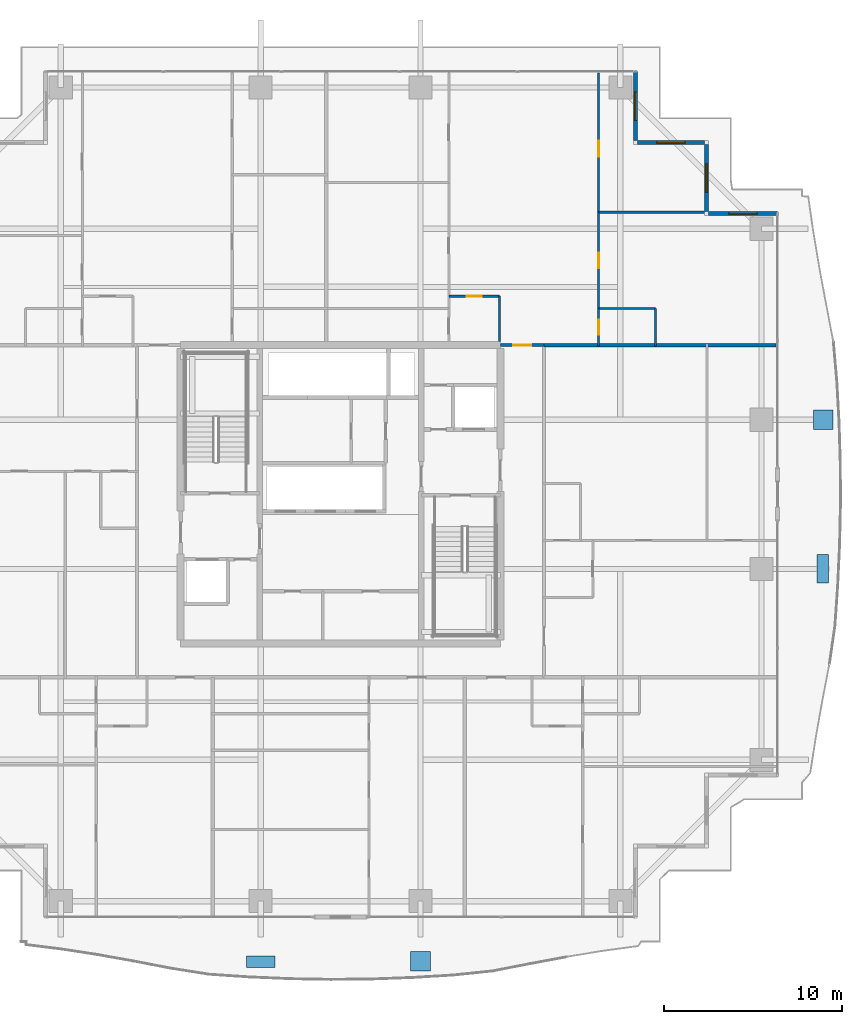
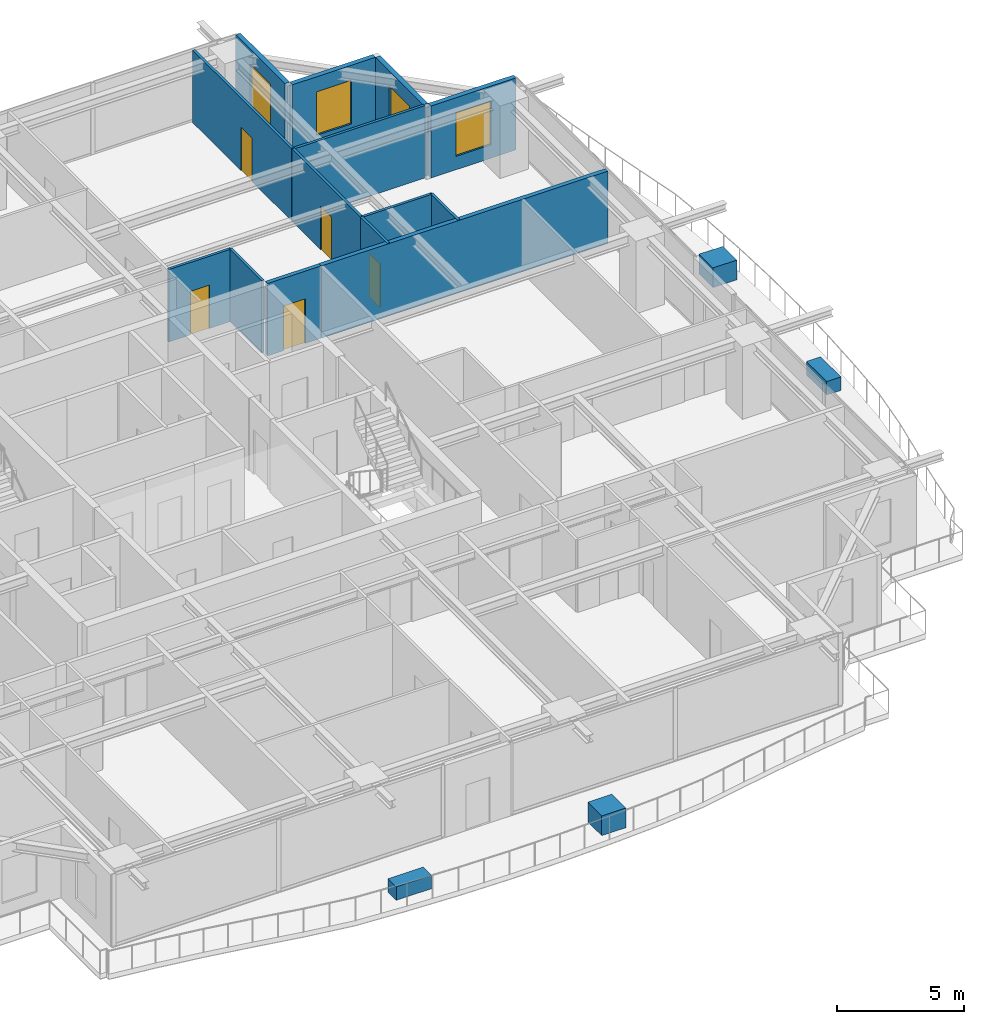
# One storey, part 31 of 37: 14 walls, 5 doors, 4 discrete accessories, 4 windows, 9 openings.
"""IFC4 building model written with IfcOpenShell, lengths in metres."""

from ifc_helpers import new_model, si_unit, direction, frame, frame_2d, origin, origin_2d, place, context, subcontext, project, spatial, rectangle, extrude, source, transform, mapped, material, layer, layer_set, type_object, element, fill, save


model = new_model("IFC4")

# Units and contexts
model_context = context("Model", 3, precision=1e-05, world=origin(), true_north=direction((0.0, 1.0)))
body_context = subcontext(model_context, "Body", "Model", "MODEL_VIEW")
ifc_project = project(units=[si_unit("LENGTHUNIT", "METRE"), si_unit("AREAUNIT", "SQUARE_METRE"), si_unit("VOLUMEUNIT", "CUBIC_METRE"), si_unit("PLANEANGLEUNIT", "RADIAN"), si_unit("MASSUNIT", "GRAM", prefix="KILO")], contexts=[model_context])

# Site, building, storey
site_placement = place(None, origin())
site = spatial("IfcSite", under=ifc_project, at=site_placement, CompositionType="ELEMENT")
building_placement = place(site_placement, origin())
building = spatial("IfcBuilding", under=site, at=building_placement, Name="Serunith Strait Residences", CompositionType="ELEMENT")
storey_placement = place(building_placement, frame((0.0, 0.0, 161.39990234375)))
storey = spatial("IfcBuildingStorey", under=building, at=storey_placement, Name="L40", CompositionType="ELEMENT", Elevation=161.39990234375)

# Wall, opening, window
ifc_material_1 = material(Name="Pale-Champagne Aluminium Insulated Panel", Category="aluminium")
ifc_layer_1 = layer(ifc_material_1, 0.219970703125, Name="Pale-Champagne Aluminium Insulated Panel")
ifc_layer_set_1 = layer_set([ifc_layer_1], Name="Pale-Champagne Aluminium Insulated Panel")
wall_type_1 = type_object("IfcWallType", Name="EW-ALUM-220", PredefinedType="ELEMENTEDWALL", material=ifc_layer_set_1)
wall_1_placement = place(storey_placement, frame((57.0, 41.0, 0.0), z_axis=(0.0, 0.0, 1.0), x_axis=(-1.0, 0.0, 0.0)))
wall_1 = element("IfcWall", 1, at=wall_1_placement, inside=storey, type_object=wall_type_1, Name="L40 Girih Serrated Corner Wall 07", PredefinedType="ELEMENTEDWALL", context=body_context, shape_type="SweptSolid", body=[
    extrude(rectangle(XDim=3.889892578125, YDim=0.219970703125, at=frame_2d((1.94482421875, 0.0))), origin(), (0.0, 0.0, 1.0), 3.47509765625),
])
opening_1_placement = place(wall_1_placement, frame((1.14501953125, 0.0, 0.64990234375)))
opening_1 = element("IfcOpeningElement", 2, at=opening_1_placement, cuts=wall_1, Name="Opening W-02", PredefinedType="OPENING", context=body_context, shape_type="SweptSolid", body=[
    extrude(rectangle(XDim=1.60009765625, YDim=2.10009765625, at=frame_2d((0.800048828125, 1.050048828125))), frame((0.0, 0.1201171875, 0.0), z_axis=(0.0, -1.0, 0.0), x_axis=(1.0, 0.0, 0.0)), (0.0, 0.0, 1.0), 0.239990234375),
])
ifc_material_2 = material(Name="Ceramic-Fritted Operable Aluminium Window Glass", Category="aluminium")
window_type = type_object("IfcWindowType", Name="WIN-C2", PartitioningType="DOUBLE_PANEL_VERTICAL", PredefinedType="WINDOW", material=ifc_material_2)
shared_shape_1 = source(origin(), body_context, "Body", "SweptSolid", [
    extrude(rectangle(XDim=1.60009765625, YDim=2.10009765625, at=frame_2d((0.800048828125, 1.050048828125))), frame((0.0, 0.030029296875, 0.0), z_axis=(0.0, -1.0, 0.0), x_axis=(1.0, 0.0, 0.0)), (0.0, 0.0, 1.0), 0.06005859375),
])
window_1_placement = place(opening_1_placement, origin())
window_1 = element("IfcWindow", 3, at=window_1_placement, inside=storey, type_object=window_type, Name="L40 Corner Operable Fritted Window 07", OverallHeight=2.10009765625, OverallWidth=1.60009765625, PartitioningType="SINGLE_PANEL", PredefinedType="WINDOW", context=body_context, shape_type="MappedRepresentation", body=[
    mapped(shared_shape_1, transform((0.0, 0.0, 0.0), scale=1.0)),
])
fill(opening_1, window_1)

wall_2_placement = place(storey_placement, frame((53.0, 41.110107421875, 0.0), z_axis=(0.0, 0.0, 1.0), x_axis=(0.0, 1.0, 0.0)))
wall_2 = element("IfcWall", 4, at=wall_2_placement, inside=storey, type_object=wall_type_1, Name="L40 Girih Serrated Corner Wall 08", PredefinedType="ELEMENTEDWALL", context=body_context, shape_type="SweptSolid", body=[
    extrude(rectangle(XDim=3.77978515625, YDim=0.219970703125, at=frame_2d((1.889892578125, 0.0))), origin(), (0.0, 0.0, 1.0), 3.47509765625),
])
opening_2_placement = place(wall_2_placement, frame((1.090087890625, 0.0, 0.64990234375)))
opening_2 = element("IfcOpeningElement", 5, at=opening_2_placement, cuts=wall_2, Name="Opening W-02", PredefinedType="OPENING", context=body_context, shape_type="SweptSolid", body=[
    extrude(rectangle(XDim=1.60009765625, YDim=2.10009765625, at=frame_2d((0.800048828125, 1.050048828125))), frame((0.0, 0.1201171875, 0.0), z_axis=(0.0, -1.0, 0.0), x_axis=(1.0, 0.0, 0.0)), (0.0, 0.0, 1.0), 0.239990234375),
])
window_2_placement = place(opening_2_placement, origin())
window_2 = element("IfcWindow", 6, at=window_2_placement, inside=storey, type_object=window_type, Name="L40 Corner Operable Fritted Window 08", OverallHeight=2.10009765625, OverallWidth=1.60009765625, PartitioningType="SINGLE_PANEL", PredefinedType="WINDOW", context=body_context, shape_type="MappedRepresentation", body=[
    mapped(shared_shape_1, transform((0.0, 0.0, 0.0), scale=1.0)),
])
fill(opening_2, window_2)

wall_3_placement = place(storey_placement, frame((52.889892578125, 45.0, 0.0), z_axis=(0.0, 0.0, 1.0), x_axis=(-1.0, 0.0, 0.0)))
wall_3 = element("IfcWall", 7, at=wall_3_placement, inside=storey, type_object=wall_type_1, Name="L40 Girih Serrated Corner Wall 09", PredefinedType="ELEMENTEDWALL", context=body_context, shape_type="SweptSolid", body=[
    extrude(rectangle(XDim=3.77978515625, YDim=0.219970703125, at=frame_2d((1.889892578125, 0.0))), origin(), (0.0, 0.0, 1.0), 3.47509765625),
])
opening_3_placement = place(wall_3_placement, frame((1.090087890625, 0.0, 0.64990234375)))
opening_3 = element("IfcOpeningElement", 8, at=opening_3_placement, cuts=wall_3, Name="Opening W-02", PredefinedType="OPENING", context=body_context, shape_type="SweptSolid", body=[
    extrude(rectangle(XDim=1.60009765625, YDim=2.10009765625, at=frame_2d((0.800048828125, 1.050048828125))), frame((0.0, 0.1201171875, 0.0), z_axis=(0.0, -1.0, 0.0), x_axis=(1.0, 0.0, 0.0)), (0.0, 0.0, 1.0), 0.239990234375),
])
window_3_placement = place(opening_3_placement, origin())
window_3 = element("IfcWindow", 9, at=window_3_placement, inside=storey, type_object=window_type, Name="L40 Corner Operable Fritted Window 09", OverallHeight=2.10009765625, OverallWidth=1.60009765625, PartitioningType="SINGLE_PANEL", PredefinedType="WINDOW", context=body_context, shape_type="MappedRepresentation", body=[
    mapped(shared_shape_1, transform((0.0, 0.0, 0.0), scale=1.0)),
])
fill(opening_3, window_3)

wall_4_placement = place(storey_placement, frame((49.0, 45.110107421875, 0.0), z_axis=(0.0, 0.0, 1.0), x_axis=(0.0, 1.0, 0.0)))
wall_4 = element("IfcWall", 10, at=wall_4_placement, inside=storey, type_object=wall_type_1, Name="L40 Girih Serrated Corner Wall 10", PredefinedType="ELEMENTEDWALL", context=body_context, shape_type="SweptSolid", body=[
    extrude(rectangle(XDim=3.889892578125, YDim=0.219970703125, at=frame_2d((1.94482421875, 0.0))), origin(), (0.0, 0.0, 1.0), 3.47509765625),
])
opening_4_placement = place(wall_4_placement, frame((1.14501953125, 0.0, 0.64990234375)))
opening_4 = element("IfcOpeningElement", 11, at=opening_4_placement, cuts=wall_4, Name="Opening W-02", PredefinedType="OPENING", context=body_context, shape_type="SweptSolid", body=[
    extrude(rectangle(XDim=1.60009765625, YDim=2.10009765625, at=frame_2d((0.800048828125, 1.050048828125))), frame((0.0, 0.1201171875, 0.0), z_axis=(0.0, -1.0, 0.0), x_axis=(1.0, 0.0, 0.0)), (0.0, 0.0, 1.0), 0.239990234375),
])
window_4_placement = place(opening_4_placement, origin())
window_4 = element("IfcWindow", 12, at=window_4_placement, inside=storey, type_object=window_type, Name="L40 Corner Operable Fritted Window 10", OverallHeight=2.10009765625, OverallWidth=1.60009765625, PartitioningType="SINGLE_PANEL", PredefinedType="WINDOW", context=body_context, shape_type="MappedRepresentation", body=[
    mapped(shared_shape_1, transform((0.0, 0.0, 0.0), scale=1.0)),
])
fill(opening_4, window_4)

# Wall, opening, door
ifc_material_3 = material(Name="Fire-rated acoustic gypsum partition")
ifc_layer_2 = layer(ifc_material_3, 0.179931640625, Name="Fire-rated acoustic gypsum partition")
ifc_layer_set_2 = layer_set([ifc_layer_2], Name="Fire-rated acoustic gypsum partition")
wall_type_2 = type_object("IfcWallType", Name="IW-CORR-180", PredefinedType="PARTITIONING", material=ifc_layer_set_2)
wall_5_placement = place(storey_placement, frame((41.402099609375, 33.60009765625, 0.0), z_axis=(0.0, 0.0, 1.0), x_axis=(1.0, 0.0, 0.0)))
wall_5 = element("IfcWall", 13, at=wall_5_placement, inside=storey, type_object=wall_type_2, Name="L40 Partition Wall 029", PredefinedType="PARTITIONING", context=body_context, shape_type="SweptSolid", body=[
    extrude(rectangle(XDim=2.44580078125, YDim=0.179931640625, at=frame_2d((1.222900390625, 0.0))), origin(), (0.0, 0.0, 1.0), 3.489990234375),
])
opening_5_placement = place(wall_5_placement, frame((0.722900390625, 0.0, 0.0)))
opening_5 = element("IfcOpeningElement", 14, at=opening_5_placement, cuts=wall_5, Name="Opening D-APT1000", PredefinedType="OPENING", context=body_context, shape_type="SweptSolid", body=[
    extrude(rectangle(XDim=1.0, YDim=2.14990234375, at=frame_2d((0.5, 1.074951171875))), frame((0.0, 0.10009765625, 0.0), z_axis=(0.0, -1.0, 0.0), x_axis=(1.0, 0.0, 0.0)), (0.0, 0.0, 1.0), 0.199951171875),
])
ifc_material_4 = material(Name="Solid timber engineered fire door", Category="wood")
door_type_1 = type_object("IfcDoorType", Name="ID-APT-1000", OperationType="NOTDEFINED", PredefinedType="DOOR", material=ifc_material_4)
shared_shape_2 = source(origin(), body_context, "Body", "SweptSolid", [
    extrude(rectangle(XDim=1.0, YDim=2.14990234375, at=frame_2d((0.5, 1.074951171875))), frame((0.0, 0.02490234375, 0.0), z_axis=(0.0, -1.0, 0.0), x_axis=(1.0, 0.0, 0.0)), (0.0, 0.0, 1.0), 0.050048828125),
])
door_1_placement = place(opening_5_placement, origin())
door_1 = element("IfcDoor", 15, at=door_1_placement, inside=storey, type_object=door_type_1, Name="L40 Unit 05 Entrance Door", OperationType="SINGLE_SWING_RIGHT", OverallHeight=2.14990234375, OverallWidth=1.0, PredefinedType="DOOR", context=body_context, shape_type="MappedRepresentation", body=[
    mapped(shared_shape_2, transform((0.0, 0.0, 0.0), scale=1.0)),
])
fill(opening_5, door_1)

ifc_material_5 = material(Name="Lightweight steel-stud gypsum partition", Category="steel")
ifc_layer_3 = layer(ifc_material_5, 0.1201171875, Name="Lightweight steel-stud gypsum partition")
ifc_layer_set_3 = layer_set([ifc_layer_3], Name="Lightweight steel-stud gypsum partition")
wall_type_3 = type_object("IfcWallType", Name="IW-PART-120", PredefinedType="PARTITIONING", material=ifc_layer_set_3)
wall_6_placement = place(storey_placement, frame((38.5, 36.35009765625, 0.0), z_axis=(0.0, 0.0, 1.0), x_axis=(1.0, 0.0, 0.0)))
wall_6 = element("IfcWall", 16, at=wall_6_placement, inside=storey, type_object=wall_type_3, Name="L40 Partition Wall 066", PredefinedType="PARTITIONING", context=body_context, shape_type="SweptSolid", body=[
    extrude(rectangle(XDim=2.85009765625, YDim=0.1201171875, at=frame_2d((1.425048828125, 0.0))), origin(), (0.0, 0.0, 1.0), 3.489990234375),
])
opening_6_placement = place(wall_6_placement, frame((1.0, 0.0, 0.0)))
opening_6 = element("IfcOpeningElement", 17, at=opening_6_placement, cuts=wall_6, Name="Opening D-RM850", PredefinedType="OPENING", context=body_context, shape_type="SweptSolid", body=[
    extrude(rectangle(XDim=0.85009765625, YDim=2.10009765625, at=frame_2d((0.425048828125, 1.050048828125))), frame((0.0, 0.070068359375, 0.0), z_axis=(0.0, -1.0, 0.0), x_axis=(1.0, 0.0, 0.0)), (0.0, 0.0, 1.0), 0.14013671875),
])
ifc_material_6 = material(Name="Engineered timber flush study and kitchen door", Category="wood")
door_type_2 = type_object("IfcDoorType", Name="ID-ROOM-850", OperationType="NOTDEFINED", PredefinedType="DOOR", material=ifc_material_6)
shared_shape_3 = source(origin(), body_context, "Body", "SweptSolid", [
    extrude(rectangle(XDim=0.85009765625, YDim=2.10009765625, at=frame_2d((0.425048828125, 1.050048828125))), frame((0.0, 0.02490234375, 0.0), z_axis=(0.0, -1.0, 0.0), x_axis=(1.0, 0.0, 0.0)), (0.0, 0.0, 1.0), 0.050048828125),
])
door_2_placement = place(opening_6_placement, origin())
door_2 = element("IfcDoor", 18, at=door_2_placement, inside=storey, type_object=door_type_2, Name="L40 Kitchen 4005 Door", OperationType="SINGLE_SWING_RIGHT", OverallHeight=2.10009765625, OverallWidth=0.85009765625, PredefinedType="DOOR", context=body_context, shape_type="MappedRepresentation", body=[
    mapped(shared_shape_3, transform((0.0, 0.0, 0.0), scale=1.0)),
])
fill(opening_6, door_2)

# Wall
wall_7_placement = place(storey_placement, frame((41.35009765625, 36.35009765625, 0.0), z_axis=(0.0, 0.0, 1.0), x_axis=(0.0, -1.0, 0.0)))
element("IfcWall", 19, at=wall_7_placement, inside=storey, type_object=wall_type_3, Name="L40 Partition Wall 067", PredefinedType="PARTITIONING", context=body_context, shape_type="SweptSolid", body=[
    extrude(rectangle(XDim=2.550048828125, YDim=0.1201171875, at=frame_2d((1.27490234375, 0.0))), origin(), (0.0, 0.0, 1.0), 3.489990234375),
])

# Wall, opening, door
wall_8_placement = place(storey_placement, frame((46.929931640625, 48.905029296875, 0.0), z_axis=(0.0, 0.0, 1.0), x_axis=(0.0, -1.0, 0.0)))
wall_8 = element("IfcWall", 20, at=wall_8_placement, inside=storey, type_object=wall_type_3, Name="L40 Partition Wall 073", PredefinedType="PARTITIONING", context=body_context, shape_type="SweptSolid", body=[
    extrude(rectangle(XDim=7.830078125, YDim=0.1201171875, at=frame_2d((3.9150390625, 0.0))), origin(), (0.0, 0.0, 1.0), 3.489990234375),
])
opening_7_placement = place(wall_8_placement, frame((3.81103515625, 0.0, 0.0)))
opening_7 = element("IfcOpeningElement", 21, at=opening_7_placement, cuts=wall_8, Name="Opening D-RM900", PredefinedType="OPENING", context=body_context, shape_type="SweptSolid", body=[
    extrude(rectangle(XDim=0.89990234375, YDim=2.10009765625, at=frame_2d((0.449951171875, 1.050048828125))), frame((0.0, 0.070068359375, 0.0), z_axis=(0.0, -1.0, 0.0), x_axis=(1.0, 0.0, 0.0)), (0.0, 0.0, 1.0), 0.14013671875),
])
ifc_material_7 = material(Name="Engineered timber flush bedroom door", Category="wood")
door_type_3 = type_object("IfcDoorType", Name="ID-ROOM-900", OperationType="NOTDEFINED", PredefinedType="DOOR", material=ifc_material_7)
shared_shape_4 = source(origin(), body_context, "Body", "SweptSolid", [
    extrude(rectangle(XDim=0.89990234375, YDim=2.10009765625, at=frame_2d((0.449951171875, 1.050048828125))), frame((0.0, 0.02490234375, 0.0), z_axis=(0.0, -1.0, 0.0), x_axis=(1.0, 0.0, 0.0)), (0.0, 0.0, 1.0), 0.050048828125),
])
door_3_placement = place(opening_7_placement, origin())
door_3 = element("IfcDoor", 22, at=door_3_placement, inside=storey, type_object=door_type_3, Name="L40 Bedroom 2 4005 Door", OperationType="SINGLE_SWING_RIGHT", OverallHeight=2.10009765625, OverallWidth=0.89990234375, PredefinedType="DOOR", context=body_context, shape_type="MappedRepresentation", body=[
    mapped(shared_shape_4, transform((0.0, 0.0, 0.0), scale=1.0)),
])
fill(opening_7, door_3)

# Walls
wall_9_placement = place(storey_placement, frame((46.929931640625, 41.074951171875, 0.0), z_axis=(0.0, 0.0, 1.0), x_axis=(1.0, 0.0, 0.0)))
element("IfcWall", 23, at=wall_9_placement, inside=storey, type_object=wall_type_3, Name="L40 Partition Wall 074", PredefinedType="PARTITIONING", context=body_context, shape_type="SweptSolid", body=[
    extrude(rectangle(XDim=5.97509765625, YDim=0.1201171875, at=frame_2d((2.987548828125, 0.0))), origin(), (0.0, 0.0, 1.0), 3.489990234375),
])
wall_10_placement = place(storey_placement, frame((46.929931640625, 35.64990234375, 0.0), z_axis=(0.0, 0.0, 1.0), x_axis=(1.0, 0.0, 0.0)))
element("IfcWall", 24, at=wall_10_placement, inside=storey, type_object=wall_type_3, Name="L40 Partition Wall 075", PredefinedType="PARTITIONING", context=body_context, shape_type="SweptSolid", body=[
    extrude(rectangle(XDim=3.199951171875, YDim=0.1201171875, at=frame_2d((1.60009765625, 0.0))), origin(), (0.0, 0.0, 1.0), 3.489990234375),
])
wall_11_placement = place(storey_placement, frame((50.1298828125, 35.64990234375, 0.0), z_axis=(0.0, 0.0, 1.0), x_axis=(0.0, -1.0, 0.0)))
element("IfcWall", 25, at=wall_11_placement, inside=storey, type_object=wall_type_3, Name="L40 Partition Wall 076", PredefinedType="PARTITIONING", context=body_context, shape_type="SweptSolid", body=[
    extrude(rectangle(XDim=2.10986328125, YDim=0.1201171875, at=frame_2d((1.054931640625, 0.0))), origin(), (0.0, 0.0, 1.0), 3.489990234375),
])

# Wall, opening, door
wall_12_placement = place(storey_placement, frame((46.929931640625, 41.072998046875, 0.0), z_axis=(0.0, 0.0, 1.0), x_axis=(0.0, -1.0, 0.0)))
wall_12 = element("IfcWall", 26, at=wall_12_placement, inside=storey, type_object=wall_type_3, Name="L40 Partition Wall 077", PredefinedType="PARTITIONING", context=body_context, shape_type="SweptSolid", body=[
    extrude(rectangle(XDim=5.423095703125, YDim=0.1201171875, at=frame_2d((2.71142578125, 0.0))), origin(), (0.0, 0.0, 1.0), 3.489990234375),
])
opening_8_placement = place(wall_12_placement, frame((2.287109375, 0.0, 0.0)))
opening_8 = element("IfcOpeningElement", 27, at=opening_8_placement, cuts=wall_12, Name="Opening D-RM850", PredefinedType="OPENING", context=body_context, shape_type="SweptSolid", body=[
    extrude(rectangle(XDim=0.85009765625, YDim=2.10009765625, at=frame_2d((0.425048828125, 1.050048828125))), frame((0.0, 0.070068359375, 0.0), z_axis=(0.0, -1.0, 0.0), x_axis=(1.0, 0.0, 0.0)), (0.0, 0.0, 1.0), 0.14013671875),
])
door_4_placement = place(opening_8_placement, origin())
door_4 = element("IfcDoor", 28, at=door_4_placement, inside=storey, type_object=door_type_2, Name="L40 Walk-in Wardrobe 4005 Door", OperationType="SINGLE_SWING_LEFT", OverallHeight=2.10009765625, OverallWidth=0.85009765625, PredefinedType="DOOR", context=body_context, shape_type="MappedRepresentation", body=[
    mapped(shared_shape_3, transform((0.0, 0.0, 0.0), scale=1.0)),
])
fill(opening_8, door_4)

wall_13_placement = place(storey_placement, frame((46.929931640625, 35.64794921875, 0.0), z_axis=(0.0, 0.0, 1.0), x_axis=(0.0, -1.0, 0.0)))
wall_13 = element("IfcWall", 29, at=wall_13_placement, inside=storey, type_object=wall_type_3, Name="L40 Partition Wall 078", PredefinedType="PARTITIONING", context=body_context, shape_type="SweptSolid", body=[
    extrude(rectangle(XDim=2.10791015625, YDim=0.1201171875, at=frame_2d((1.053955078125, 0.0))), origin(), (0.0, 0.0, 1.0), 3.489990234375),
])
opening_9_placement = place(wall_13_placement, frame((0.62890625, 0.0, 0.0)))
opening_9 = element("IfcOpeningElement", 30, at=opening_9_placement, cuts=wall_13, Name="Opening D-BTH850", PredefinedType="OPENING", context=body_context, shape_type="SweptSolid", body=[
    extrude(rectangle(XDim=0.85009765625, YDim=2.10009765625, at=frame_2d((0.425048828125, 1.050048828125))), frame((0.0, 0.070068359375, 0.0), z_axis=(0.0, -1.0, 0.0), x_axis=(1.0, 0.0, 0.0)), (0.0, 0.0, 1.0), 0.14013671875),
])
ifc_material_8 = material(Name="Moisture-resistant timber bathroom door", Category="wood")
door_type_4 = type_object("IfcDoorType", Name="ID-BATH-850", OperationType="NOTDEFINED", PredefinedType="DOOR", material=ifc_material_8)
door_5_placement = place(opening_9_placement, origin())
door_5 = element("IfcDoor", 31, at=door_5_placement, inside=storey, type_object=door_type_4, Name="L40 Bathroom 4005 Door", OperationType="SINGLE_SWING_RIGHT", OverallHeight=2.10009765625, OverallWidth=0.85009765625, PredefinedType="DOOR", context=body_context, shape_type="MappedRepresentation", body=[
    mapped(shared_shape_3, transform((0.0, 0.0, 0.0), scale=1.0)),
])
fill(opening_9, door_5)

# Wall
ifc_material_9 = material(Name="Twin-stud acoustic gypsum board partition")
ifc_layer_4 = layer(ifc_material_9, 0.199951171875, Name="Twin-stud acoustic gypsum board partition")
ifc_layer_set_4 = layer_set([ifc_layer_4], Name="Twin-stud acoustic gypsum board partition")
wall_type_4 = type_object("IfcWallType", Name="IW-PARTY-200", PredefinedType="PARTITIONING", material=ifc_layer_set_4)
wall_14_placement = place(storey_placement, frame((43.85009765625, 33.60009765625, 0.0), z_axis=(0.0, 0.0, 1.0), x_axis=(1.0, 0.0, 0.0)))
element("IfcWall", 32, at=wall_14_placement, inside=storey, type_object=wall_type_4, Name="L40 Partition Wall 024", PredefinedType="PARTITIONING", context=body_context, shape_type="SweptSolid", body=[
    extrude(rectangle(XDim=13.06787109375, YDim=0.199951171875, at=frame_2d((6.533935546875, 0.0))), origin(), (0.0, 0.0, 1.0), 3.489990234375),
])

# Discrete accessories
ifc_material_10 = material(Name="GFRC Root-Anchored Structural Planter")
discrete_accessory_type_1 = type_object("IfcDiscreteAccessoryType", Name="ACC-PLANTER-TREE", PredefinedType="USERDEFINED", material=ifc_material_10)
shared_shape_5 = source(origin(), body_context, "Body", "SweptSolid", [
    extrude(rectangle(XDim=1.10009765625, YDim=1.10009765625, at=origin_2d()), origin(), (0.0, 0.0, 1.0), 0.949951171875),
])
for number, where, z_axis, x_axis, name in (
    (33, (36.89990234375, -1.08154296875, -0.0498046875), (0.0, 0.0, 1.0), (1.0, 0.0, 0.0), "L40 Vertical-Forest Tree Planter 03"),
    (34, (59.56494140625, 29.39990234375, -0.0498046875), (0.0, 0.0, 1.0), (0.0, 1.0, 0.0), "L40 Vertical-Forest Tree Planter 11"),
):
    element("IfcDiscreteAccessory", number, at=place(storey_placement, frame(where, z_axis=z_axis, x_axis=x_axis)), inside=storey, type_object=discrete_accessory_type_1, Name=name, ObjectType="PLANTER", PredefinedType="USERDEFINED", context=body_context, shape_type="MappedRepresentation", body=[
        mapped(shared_shape_5, transform((0.0, 0.0, 0.0), scale=1.0)),
    ])
ifc_material_11 = material(Name="GFRC Irrigated Shrub Trough Planter")
discrete_accessory_type_2 = type_object("IfcDiscreteAccessoryType", Name="ACC-PLANTER-SHRUB", PredefinedType="USERDEFINED", material=ifc_material_11)
shared_shape_6 = source(origin(), body_context, "Body", "SweptSolid", [
    extrude(rectangle(XDim=1.60009765625, YDim=0.64990234375, at=origin_2d()), origin(), (0.0, 0.0, 1.0), 0.64990234375),
])
for number, where, z_axis, x_axis, name in (
    (35, (27.89990234375, -1.10400390625, -0.0498046875), (0.0, 0.0, 1.0), (1.0, 0.0, 0.0), "L40 Vertical-Forest Shrub Planter 02"),
    (36, (59.53759765625, 21.0, -0.0498046875), (0.0, 0.0, 1.0), (0.0, 1.0, 0.0), "L40 Vertical-Forest Shrub Planter 10"),
):
    element("IfcDiscreteAccessory", number, at=place(storey_placement, frame(where, z_axis=z_axis, x_axis=x_axis)), inside=storey, type_object=discrete_accessory_type_2, Name=name, ObjectType="PLANTER", PredefinedType="USERDEFINED", context=body_context, shape_type="MappedRepresentation", body=[
        mapped(shared_shape_6, transform((0.0, 0.0, 0.0), scale=1.0)),
    ])

save(model, "model.ifc")
